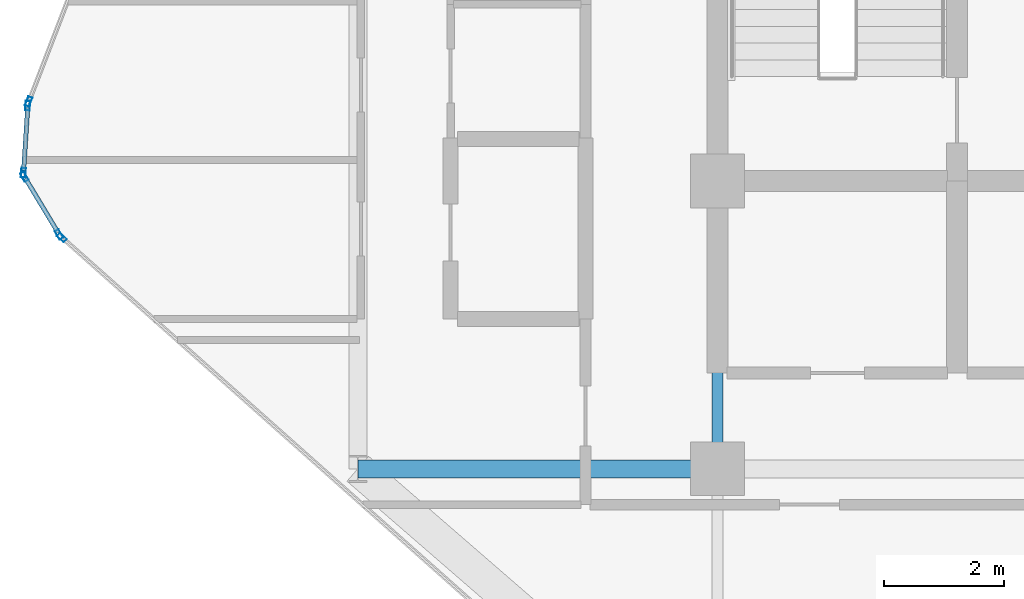
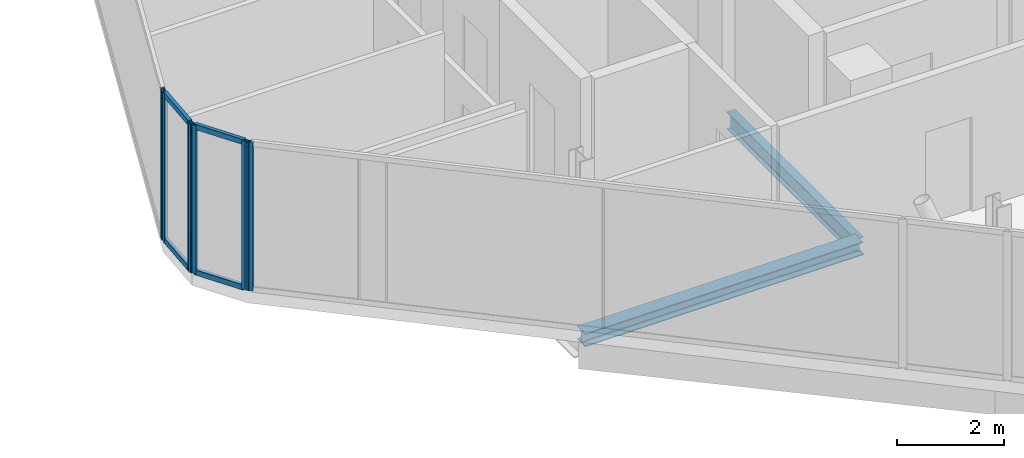
# One storey, part 8 of 29: 10 members, 2 beams, 4 elements without a shape of their own.
"""IFC4 building model written with IfcOpenShell, lengths in metres."""

import ifcopenshell
import ifcopenshell.guid

model = None  # the IFC model being written
_history = None  # IfcOwnerHistory: only IFC2X3 demands one
_inside = {}  # id of a spatial element -> (the spatial element, [elements in it])
_under = {}  # id of a project, library or spatial element -> (it, [spatial elements below it])
_declared = {}  # id of a project -> (the project, [libraries it declares])
_typed = {}  # id of a type object -> (the type object, [elements of that type])
_made_of = {}  # id of a material, layer set ... -> (it, [elements and type objects made of it])


def new_model(schema):
    """Start an empty IFC model of exactly this schema.

    Asked for "IFC4X3", IfcOpenShell would pick the latest addendum, in which some entities
    have other attributes; the version numbers below select the first issue.
    IFC2X3 requires an IfcOwnerHistory on every rooted entity: one is made here for all.
    """
    global model, _history
    if schema == "IFC4X3":
        model = ifcopenshell.file(schema_version=(4, 3, 0, 0))
    else:
        model = ifcopenshell.file(schema=schema)
    _inside.clear()
    _under.clear()
    _declared.clear()
    _typed.clear()
    _made_of.clear()
    _history = None
    if model.schema == "IFC2X3":
        org = make("IfcOrganization", Name="unknown")
        user = make(
            "IfcPersonAndOrganization",
            ThePerson=make("IfcPerson", FamilyName="unknown"),
            TheOrganization=org,
        )
        app = make(
            "IfcApplication",
            ApplicationDeveloper=org,
            Version="unknown",
            ApplicationFullName="unknown",
            ApplicationIdentifier="unknown",
        )
        _history = make(
            "IfcOwnerHistory",
            OwningUser=user,
            OwningApplication=app,
            ChangeAction="ADDED",
            CreationDate=0,
        )
    return model


def make(cls, **values):
    """One entity of the class cls with the attributes given. An attribute that is None is left unset."""
    return model.create_entity(
        cls, **{name: value for name, value in values.items() if value is not None}
    )


def rooted(cls, **values):
    """An entity with a GlobalId (a new one), such as an element, a storey or a relation."""
    return make(cls, GlobalId=ifcopenshell.guid.new(), OwnerHistory=_history, **values)


def si_unit(unit_type, name, prefix=None):
    """IfcSIUnit, for example si_unit("LENGTHUNIT", "METRE", prefix="MILLI")."""
    return make("IfcSIUnit", UnitType=unit_type, Prefix=prefix, Name=name)


def assignment(units):
    """IfcUnitAssignment: the units of a project."""
    return None if units is None else make("IfcUnitAssignment", Units=units)


def point(xyz):
    """IfcCartesianPoint."""
    return None if xyz is None else make("IfcCartesianPoint", Coordinates=xyz)


def direction(xyz):
    """IfcDirection."""
    return None if xyz is None else make("IfcDirection", DirectionRatios=xyz)


def frame(location, z_axis=None, x_axis=None):
    """IfcAxis2Placement3D, a coordinate frame: its origin and axes. An axis left out is left unset."""
    return make(
        "IfcAxis2Placement3D",
        Location=point(location),
        Axis=direction(z_axis),
        RefDirection=direction(x_axis),
    )


def frame_2d(location, x_axis=None):
    """IfcAxis2Placement2D, a coordinate frame in the plane: its origin and x axis."""
    return make(
        "IfcAxis2Placement2D", Location=point(location), RefDirection=direction(x_axis)
    )


def origin():
    """The frame at (0, 0, 0) with its axes left unset."""
    return frame((0.0, 0.0, 0.0))


def origin_2d():
    """The frame at (0, 0) in the plane with its x axis left unset."""
    return frame_2d((0.0, 0.0))


def place(relative_to, where):
    """IfcLocalPlacement: puts the frame where relative to a parent placement (None: the world)."""
    return make(
        "IfcLocalPlacement", PlacementRelTo=relative_to, RelativePlacement=where
    )


def context(
    kind, dimensions, precision=None, world=None, true_north=None, identifier=None
):
    """IfcGeometricRepresentationContext, for example the 3D "Model" context."""
    return make(
        "IfcGeometricRepresentationContext",
        ContextIdentifier=identifier,
        ContextType=kind,
        CoordinateSpaceDimension=dimensions,
        Precision=precision,
        WorldCoordinateSystem=world,
        TrueNorth=true_north,
    )


def subcontext(parent, identifier, kind, view, scale=None):
    """IfcGeometricRepresentationSubContext, for example "Body" below "Model"."""
    return make(
        "IfcGeometricRepresentationSubContext",
        ContextIdentifier=identifier,
        ContextType=kind,
        ParentContext=parent,
        TargetScale=scale,
        TargetView=view,
    )


def project(units=None, contexts=None):
    """IfcProject with its units and contexts."""
    return rooted(
        "IfcProject",
        Name="project",
        RepresentationContexts=contexts,
        UnitsInContext=assignment(units),
    )


def spatial(cls, under=None, at=None, **own):
    """A site, building, storey or space (cls), placed at a placement, below another one or the project."""
    s = rooted(cls, ObjectPlacement=at, **own)
    if under is not None:
        _under.setdefault(under.id(), (under, []))[1].append(s)
    return s


def profile(cls, at=None, kind="AREA", **sizes):
    """A parametric profile (cls). Its sizes go by their IFC names, for example OverallWidth=200.0."""
    return make(cls, ProfileType=kind, Position=at, **sizes)


def hollow_rectangle(**sizes):
    """IfcRectangleHollowProfileDef."""
    return profile("IfcRectangleHollowProfileDef", **sizes)


def i_section(**sizes):
    """IfcIShapeProfileDef."""
    return profile("IfcIShapeProfileDef", **sizes)


def extrude(swept, where, along, depth):
    """IfcExtrudedAreaSolid: the profile swept, set in the frame where, extruded along a direction by depth."""
    return make(
        "IfcExtrudedAreaSolid",
        SweptArea=swept,
        Position=where,
        ExtrudedDirection=direction(along),
        Depth=depth,
    )


def shape(context_of_items, identifier, shape_type, items):
    """IfcShapeRepresentation: the items that make up one representation, for example the "Body"."""
    return make(
        "IfcShapeRepresentation",
        ContextOfItems=context_of_items,
        RepresentationIdentifier=identifier,
        RepresentationType=shape_type,
        Items=items,
    )


def material(Name=None, Category=None):
    """IfcMaterial."""
    return make("IfcMaterial", Name=Name, Category=Category)


def layer(
    of_material, thickness, ventilated=None, Name=None, Category=None, Priority=None
):
    """IfcMaterialLayer: one layer of a wall or slab, of a material (None: an air gap)."""
    return make(
        "IfcMaterialLayer",
        Material=of_material,
        LayerThickness=thickness,
        IsVentilated=ventilated,
        Name=Name,
        Category=Category,
        Priority=Priority,
    )


def layer_set(layers, Name=None):
    """IfcMaterialLayerSet."""
    return make("IfcMaterialLayerSet", MaterialLayers=layers, LayerSetName=Name)


def material_profile(
    of_material, cross_section, Name=None, Category=None, Priority=None
):
    """IfcMaterialProfile: a cross section and its material."""
    return make(
        "IfcMaterialProfile",
        Name=Name,
        Material=of_material,
        Profile=cross_section,
        Priority=Priority,
        Category=Category,
    )


def profile_set(profiles, Name=None, composite=None):
    """IfcMaterialProfileSet."""
    return make(
        "IfcMaterialProfileSet",
        Name=Name,
        MaterialProfiles=profiles,
        CompositeProfile=composite,
    )


def made_of(thing, what):
    """Note that an element or type object is made of a material, layer set ...; save() writes the relation."""
    if what is not None:
        _made_of.setdefault(what.id(), (what, []))[1].append(thing)
    return thing


def type_object(cls, material=None, **own):
    """A type object (cls), such as IfcWallType, which elements share."""
    return made_of(rooted(cls, **own), material)


def element(
    cls,
    number,
    at=None,
    inside=None,
    cuts=None,
    type_object=None,
    material=None,
    context=None,
    identifier="Body",
    shape_type=None,
    held_by="IfcProductDefinitionShape",
    body=None,
    shapes=None,
    **own,
):
    """One element of the class cls, such as IfcWall. Its Tag is "e" and its number.

    at: its placement. inside: the storey or other place that contains it. cuts: it is an
    opening in that element (IfcRelVoidsElement). A single representation is given by context,
    identifier, shape_type and body (its items); several are given by shapes. held_by: the class
    of the entity that holds the representations. save() writes the other relations.
    """
    e = rooted(cls, Tag="e%d" % number, ObjectPlacement=at, **own)
    if body is not None:
        shapes = [shape(context, identifier, shape_type, body)]
    if shapes is not None:
        e.Representation = make(held_by, Representations=shapes)
    if inside is not None:
        _inside.setdefault(inside.id(), (inside, []))[1].append(e)
    if cuts is not None:
        rooted(
            "IfcRelVoidsElement", RelatingBuildingElement=cuts, RelatedOpeningElement=e
        )
    if type_object is not None:
        _typed.setdefault(type_object.id(), (type_object, []))[1].append(e)
    return made_of(e, material)


def aggregate(whole, parts):
    """IfcRelAggregates: a whole, such as a stair, and the parts it consists of."""
    return rooted("IfcRelAggregates", RelatingObject=whole, RelatedObjects=parts)


def save(model, path):
    """Write the relations noted so far, then the file.

    IfcRelAggregates (storeys below a building ...), IfcRelContainedInSpatialStructure (elements
    in a storey), IfcRelDefinesByType, IfcRelAssociatesMaterial and IfcRelDeclares: one each for
    every whole, place, type object, material and project.
    """
    for whole, parts in _under.values():
        aggregate(whole, parts)
    for where, things in _inside.values():
        rooted(
            "IfcRelContainedInSpatialStructure",
            RelatedElements=things,
            RelatingStructure=where,
        )
    for kind, things in _typed.values():
        rooted("IfcRelDefinesByType", RelatedObjects=things, RelatingType=kind)
    for what, things in _made_of.values():
        rooted("IfcRelAssociatesMaterial", RelatedObjects=things, RelatingMaterial=what)
    for by, libraries in _declared.values():
        rooted("IfcRelDeclares", RelatingContext=by, RelatedDefinitions=libraries)
    model.write(path)


model = new_model("IFC4")

# Units and contexts
model_context = context("Model", 3, precision=1e-05, world=origin(), true_north=direction((0.0, 1.0)))
body_context = subcontext(model_context, "Body", "Model", "MODEL_VIEW")
ifc_project = project(units=[si_unit("LENGTHUNIT", "METRE"), si_unit("AREAUNIT", "SQUARE_METRE"), si_unit("VOLUMEUNIT", "CUBIC_METRE"), si_unit("PLANEANGLEUNIT", "RADIAN"), si_unit("MASSUNIT", "GRAM", prefix="KILO")], contexts=[model_context])

# Site, building, storey
site_placement = place(None, origin())
site = spatial("IfcSite", under=ifc_project, at=site_placement, CompositionType="ELEMENT")
building_placement = place(site_placement, origin())
building = spatial("IfcBuilding", under=site, at=building_placement, Name="Keshet Zoharim Tower", CompositionType="ELEMENT")
storey_placement = place(building_placement, frame((0.0, 0.0, 176.5)))
storey = spatial("IfcBuildingStorey", under=building, at=storey_placement, Name="L43", CompositionType="ELEMENT", Elevation=176.5)

# Beams
ifc_material_1 = material(Name="Steel S355", Category="steel")
ifc_material_profile_1 = material_profile(ifc_material_1, i_section(OverallWidth=0.300048828125, OverallDepth=0.300048828125, WebThickness=0.010986328125, FlangeThickness=0.01904296875, FilletRadius=0.027099609375, at=origin_2d()), Name="HEB300")
ifc_profile_set_1 = profile_set([ifc_material_profile_1], Name="Steel S355")
beam_type_1 = type_object("IfcBeamType", Name="BM-PRI-HB300", PredefinedType="BEAM", material=ifc_profile_set_1)
beam_1_placement = place(storey_placement, frame((9.0, 17.89990234375, -0.4599609375), z_axis=(1.0, 0.0, 0.0), x_axis=(0.0, 1.0, 0.0)))
element("IfcBeam", 1, at=beam_1_placement, inside=storey, type_object=beam_type_1, Name="L43 Primary Girder X-011", PredefinedType="BEAM", context=body_context, shape_type="SweptSolid", body=[
    extrude(i_section(OverallWidth=0.300048828125, OverallDepth=0.300048828125, WebThickness=0.010986328125, FlangeThickness=0.01904296875, FilletRadius=0.027099609375, at=origin_2d()), origin(), (0.0, 0.0, 1.0), 6.0),
])
ifc_material_profile_2 = material_profile(ifc_material_1, i_section(OverallWidth=0.179931640625, OverallDepth=0.39990234375, WebThickness=0.008544921875, FlangeThickness=0.013427734375, FilletRadius=0.02099609375, at=origin_2d()), Name="IPE400")
ifc_profile_set_2 = profile_set([ifc_material_profile_2], Name="Steel S355")
beam_type_2 = type_object("IfcBeamType", Name="BM-PRI-IP400", PredefinedType="BEAM", material=ifc_profile_set_2)
beam_2_placement = place(storey_placement, frame((15.0, 17.89990234375, -0.510009765625), z_axis=(0.0, 1.0, 0.0), x_axis=(-1.0, 0.0, 0.0)))
element("IfcBeam", 2, at=beam_2_placement, inside=storey, type_object=beam_type_2, Name="L43 Primary Girder Y-003", PredefinedType="BEAM", context=body_context, shape_type="SweptSolid", body=[
    extrude(i_section(OverallWidth=0.179931640625, OverallDepth=0.39990234375, WebThickness=0.008544921875, FlangeThickness=0.013427734375, FilletRadius=0.02099609375, at=origin_2d()), origin(), (0.0, 0.0, 1.0), 4.800048828125),
])

# Curtain wall, member
ifc_material_2 = material(Name="Aluminium 6063-T6", Category="aluminium")
ifc_layer = layer(ifc_material_2, 0.139892578125)
ifc_layer_set = layer_set([ifc_layer], Name="Aluminium 6063-T6")
curtain_wall_type = type_object("IfcCurtainWallType", Name="CW-SYS-05", PredefinedType="NOTDEFINED", material=ifc_layer_set)
curtain_wall_1_placement = place(storey_placement, origin())
curtain_wall_1 = element("IfcCurtainWall", 3, at=curtain_wall_1_placement, inside=storey, type_object=curtain_wall_type, Name="L43 Unitised Curtain Wall 10 Part 3", PredefinedType="NOTDEFINED")
ifc_material_profile_3 = material_profile(ifc_material_2, hollow_rectangle(XDim=0.074951171875, YDim=0.159912109375, WallThickness=0.00390625, at=origin_2d()), Name="MUL-75x160")
ifc_profile_set_3 = profile_set([ifc_material_profile_3], Name="Aluminium 6063-T6")
member_type_1 = type_object("IfcMemberType", Name="CWM-M15", PredefinedType="MULLION", material=ifc_profile_set_3)
member_1_placement = place(storey_placement, frame((4.061279296875, 21.7568359375, 0.0), z_axis=(0.0, 0.0, 1.0), x_axis=(-0.664366823013, -0.747406666066, 0.0)))
member_1 = element("IfcMember", 4, at=member_1_placement, type_object=member_type_1, Name="CW-05 mullion 2", PredefinedType="MULLION", context=body_context, shape_type="SweptSolid", body=[
    extrude(hollow_rectangle(XDim=0.074951171875, YDim=0.159912109375, WallThickness=0.00390625, at=origin_2d()), origin(), (0.0, 0.0, 1.0), 3.389892578125),
])
aggregate(curtain_wall_1, [member_1])

# Curtain wall, members
curtain_wall_2_placement = place(storey_placement, origin())
curtain_wall_2 = element("IfcCurtainWall", 5, at=curtain_wall_2_placement, inside=storey, type_object=curtain_wall_type, Name="L43 Unitised Curtain Wall 11", PredefinedType="NOTDEFINED")
member_2_placement = place(storey_placement, frame((4.016845703125, 21.81005859375, 0.0), z_axis=(0.0, 0.0, 1.0), x_axis=(-0.856826433805, -0.515604947933, 0.0)))
member_2 = element("IfcMember", 6, at=member_2_placement, type_object=member_type_1, Name="CW-05 mullion 1", PredefinedType="MULLION", context=body_context, shape_type="SweptSolid", body=[
    extrude(hollow_rectangle(XDim=0.074951171875, YDim=0.159912109375, WallThickness=0.00390625, at=origin_2d()), origin(), (0.0, 0.0, 1.0), 3.389892578125),
])
member_3_placement = place(storey_placement, frame((3.43798828125, 22.77197265625, 0.0), z_axis=(0.0, 0.0, 1.0), x_axis=(-0.856826433805, -0.515604947933, 0.0)))
member_3 = element("IfcMember", 7, at=member_3_placement, type_object=member_type_1, Name="CW-05 mullion 2", PredefinedType="MULLION", context=body_context, shape_type="SweptSolid", body=[
    extrude(hollow_rectangle(XDim=0.074951171875, YDim=0.159912109375, WallThickness=0.00390625, at=origin_2d()), origin(), (0.0, 0.0, 1.0), 3.389892578125),
])

curtain_wall_3_placement = place(storey_placement, origin())
curtain_wall_3 = element("IfcCurtainWall", 8, at=curtain_wall_3_placement, inside=storey, type_object=curtain_wall_type, Name="L43 Unitised Curtain Wall 12", PredefinedType="NOTDEFINED")
member_4_placement = place(storey_placement, frame((3.42236328125, 22.8369140625, 0.0), z_axis=(0.0, 0.0, 1.0), x_axis=(-0.997916617186, 0.064516859374, 0.0)))
member_4 = element("IfcMember", 9, at=member_4_placement, type_object=member_type_1, Name="CW-05 mullion 1", PredefinedType="MULLION", context=body_context, shape_type="SweptSolid", body=[
    extrude(hollow_rectangle(XDim=0.074951171875, YDim=0.159912109375, WallThickness=0.00390625, at=origin_2d()), origin(), (0.0, 0.0, 1.0), 3.389892578125),
])
member_5_placement = place(storey_placement, frame((3.49462890625, 23.9580078125, 0.0), z_axis=(0.0, 0.0, 1.0), x_axis=(-0.997916617186, 0.064516859374, 0.0)))
member_5 = element("IfcMember", 10, at=member_5_placement, type_object=member_type_1, Name="CW-05 mullion 2", PredefinedType="MULLION", context=body_context, shape_type="SweptSolid", body=[
    extrude(hollow_rectangle(XDim=0.074951171875, YDim=0.159912109375, WallThickness=0.00390625, at=origin_2d()), origin(), (0.0, 0.0, 1.0), 3.389892578125),
])

# Curtain wall, member
curtain_wall_4_placement = place(storey_placement, origin())
curtain_wall_4 = element("IfcCurtainWall", 11, at=curtain_wall_4_placement, inside=storey, type_object=curtain_wall_type, Name="L43 Unitised Curtain Wall 13", PredefinedType="NOTDEFINED")
member_6_placement = place(storey_placement, frame((3.509521484375, 24.025634765625, 0.0), z_axis=(0.0, 0.0, 1.0), x_axis=(-0.933341404361, 0.358990003907, 0.0)))
member_6 = element("IfcMember", 12, at=member_6_placement, type_object=member_type_1, Name="CW-05 mullion 1", PredefinedType="MULLION", context=body_context, shape_type="SweptSolid", body=[
    extrude(hollow_rectangle(XDim=0.074951171875, YDim=0.159912109375, WallThickness=0.00390625, at=origin_2d()), origin(), (0.0, 0.0, 1.0), 3.389892578125),
])
aggregate(curtain_wall_4, [member_6])

# Member
ifc_material_profile_4 = material_profile(ifc_material_2, hollow_rectangle(XDim=0.074951171875, YDim=0.1201171875, WallThickness=0.00390625, at=origin_2d()), Name="TRN-75x120")
ifc_profile_set_4 = profile_set([ifc_material_profile_4], Name="Aluminium 6063-T6")
member_type_2 = type_object("IfcMemberType", Name="CWT-T12", PredefinedType="USERDEFINED", material=ifc_profile_set_4)
member_7_placement = place(storey_placement, frame((3.9990234375, 21.840087890625, 0.034912109375), z_axis=(-0.515791194107, 0.856714330499, 0.0), x_axis=(-0.856714330499, -0.515791194107, 0.0)))
member_7 = element("IfcMember", 13, at=member_7_placement, type_object=member_type_2, Name="CW-05 transom 1.1", ObjectType="TRANSOM", PredefinedType="USERDEFINED", context=body_context, shape_type="SweptSolid", body=[
    extrude(hollow_rectangle(XDim=0.074951171875, YDim=0.1201171875, WallThickness=0.00390625, at=origin_2d()), origin(), (0.0, 0.0, 1.0), 1.052734375),
])

member_8_placement = place(storey_placement, frame((3.9990234375, 21.840087890625, 3.35498046875), z_axis=(-0.515791194107, 0.856714330499, 0.0), x_axis=(-0.856714330499, -0.515791194107, 0.0)))
member_8 = element("IfcMember", 14, at=member_8_placement, type_object=member_type_2, Name="CW-05 transom 1.2", ObjectType="TRANSOM", PredefinedType="USERDEFINED", context=body_context, shape_type="SweptSolid", body=[
    extrude(hollow_rectangle(XDim=0.074951171875, YDim=0.1201171875, WallThickness=0.00390625, at=origin_2d()), origin(), (0.0, 0.0, 1.0), 1.052734375),
])

aggregate(curtain_wall_2, [member_2, member_3, member_7, member_8])

member_9_placement = place(storey_placement, frame((3.424560546875, 22.871826171875, 0.034912109375), z_axis=(0.064426947155, 0.997922426083, 0.0), x_axis=(-0.997922426083, 0.064426947155, 0.0)))
member_9 = element("IfcMember", 15, at=member_9_placement, type_object=member_type_2, Name="CW-05 transom 1.1", ObjectType="TRANSOM", PredefinedType="USERDEFINED", context=body_context, shape_type="SweptSolid", body=[
    extrude(hollow_rectangle(XDim=0.074951171875, YDim=0.1201171875, WallThickness=0.00390625, at=origin_2d()), origin(), (0.0, 0.0, 1.0), 1.053466796875),
])

member_10_placement = place(storey_placement, frame((3.424560546875, 22.871826171875, 3.35498046875), z_axis=(0.064426947155, 0.997922426083, 0.0), x_axis=(-0.997922426083, 0.064426947155, 0.0)))
member_10 = element("IfcMember", 16, at=member_10_placement, type_object=member_type_2, Name="CW-05 transom 1.2", ObjectType="TRANSOM", PredefinedType="USERDEFINED", context=body_context, shape_type="SweptSolid", body=[
    extrude(hollow_rectangle(XDim=0.074951171875, YDim=0.1201171875, WallThickness=0.00390625, at=origin_2d()), origin(), (0.0, 0.0, 1.0), 1.053466796875),
])

aggregate(curtain_wall_3, [member_4, member_5, member_9, member_10])

save(model, "model.ifc")
